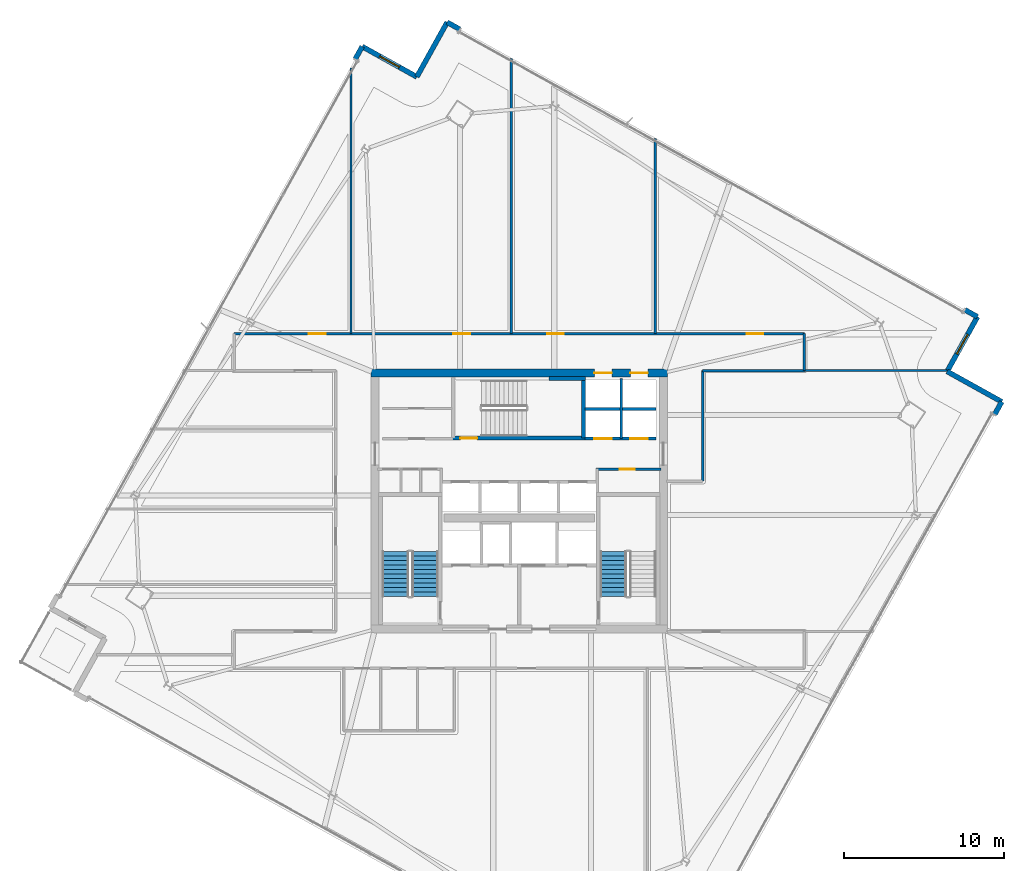
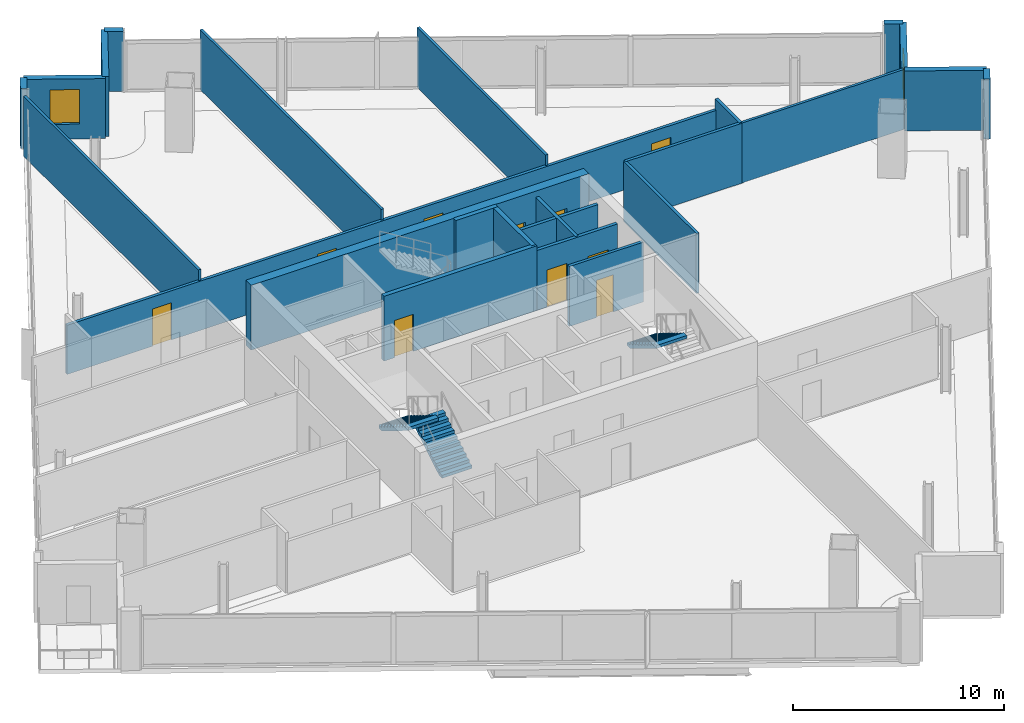
# One storey, part 22 of 28: 24 walls, 10 doors, 3 stair flights, 2 windows, 12 openings, 2 elements without a shape of their own.
"""IFC4 building model written with IfcOpenShell, lengths in metres."""

from ifc_helpers import new_model, si_unit, direction, frame, frame_2d, origin, place, context, subcontext, project, spatial, polyline, rectangle, outline, extrude, material, layer, layer_set, type_object, element, fill, aggregate, save


model = new_model("IFC4")

# Units and contexts
model_context = context("Model", 3, precision=1e-05, world=origin(), true_north=direction((0.0, 1.0)))
body_context = subcontext(model_context, "Body", "Model", "MODEL_VIEW")
ifc_project = project(units=[si_unit("LENGTHUNIT", "METRE"), si_unit("AREAUNIT", "SQUARE_METRE"), si_unit("VOLUMEUNIT", "CUBIC_METRE"), si_unit("PLANEANGLEUNIT", "RADIAN"), si_unit("MASSUNIT", "GRAM", prefix="KILO")], contexts=[model_context])

# Site, building, storey
site_placement = place(None, origin())
site = spatial("IfcSite", under=ifc_project, at=site_placement, CompositionType="ELEMENT")
building_placement = place(site_placement, origin())
building = spatial("IfcBuilding", under=site, at=building_placement, Name="Haldenkirk Collegiate Tower", CompositionType="ELEMENT")
storey_placement = place(building_placement, frame((0.0, 0.0, 232.199951171875)))
storey = spatial("IfcBuildingStorey", under=building, at=storey_placement, Name="L58", CompositionType="ELEMENT", Elevation=232.199951171875)

# Wall, openings, doors
ifc_material_1 = material(Name="Concrete f'c 55 MPa", Category="concrete")
ifc_layer_1 = layer(ifc_material_1, 0.5)
ifc_layer_set_1 = layer_set([ifc_layer_1], Name="Concrete f'c 55 MPa")
wall_type_1 = type_object("IfcWallType", Name="WL-CORE-500", PredefinedType="SHEAR", material=ifc_layer_set_1)
wall_1_placement = place(storey_placement, frame((26.75, 34.0, 0.0), z_axis=(0.0, 0.0, 1.0), x_axis=(1.0, 0.0, 0.0)))
wall_1 = element("IfcWall", 1, at=wall_1_placement, inside=storey, type_object=wall_type_1, Name="L58 central core shear wall N", PredefinedType="SHEAR", context=body_context, shape_type="SweptSolid", body=[
    extrude(rectangle(XDim=18.5, YDim=0.5, at=frame_2d((9.25, 0.0))), origin(), (0.0, 0.0, 1.0), 3.75),
])
opening_1_placement = place(wall_1_placement, frame((13.93505859375, 0.0, 0.0)))
opening_1 = element("IfcOpeningElement", 2, at=opening_1_placement, cuts=wall_1, Name="Opening LD-11", PredefinedType="OPENING", context=body_context, shape_type="SweptSolid", body=[
    extrude(rectangle(XDim=1.10009765625, YDim=2.14990234375, at=frame_2d((0.550048828125, 1.074951171875))), frame((0.0, 0.260009765625, 0.0), z_axis=(0.0, -1.0, 0.0), x_axis=(1.0, 0.0, 0.0)), (0.0, 0.0, 1.0), 0.52001953125),
])
opening_2_placement = place(wall_1_placement, frame((16.18505859375, 0.0, 0.0)))
opening_2 = element("IfcOpeningElement", 3, at=opening_2_placement, cuts=wall_1, Name="Opening LD-11", PredefinedType="OPENING", context=body_context, shape_type="SweptSolid", body=[
    extrude(rectangle(XDim=1.10009765625, YDim=2.14990234375, at=frame_2d((0.550048828125, 1.074951171875))), frame((0.0, 0.260009765625, 0.0), z_axis=(0.0, -1.0, 0.0), x_axis=(1.0, 0.0, 0.0)), (0.0, 0.0, 1.0), 0.52001953125),
])
ifc_material_2 = material(Name="Brushed architectural stainless steel", Category="steel")
ifc_layer_2 = layer(ifc_material_2, 0.06005859375)
ifc_layer_set_2 = layer_set([ifc_layer_2], Name="Brushed architectural stainless steel")
door_type_1 = type_object("IfcDoorType", Name="LD-PASS-1100", OperationType="NOTDEFINED", PredefinedType="DOOR", material=ifc_layer_set_2)
door_1_placement = place(opening_1_placement, origin())
door_1 = element("IfcDoor", 4, at=door_1_placement, inside=storey, type_object=door_type_1, Name="L58 Elevator PM3 sliding landing door", OperationType="SLIDING_TO_LEFT", OverallHeight=2.14990234375, OverallWidth=1.10009765625, PredefinedType="DOOR", context=body_context, shape_type="SweptSolid", body=[
    extrude(rectangle(XDim=1.10009765625, YDim=2.14990234375, at=frame_2d((0.550048828125, 1.074951171875))), frame((0.0, 0.02490234375, 0.0), z_axis=(0.0, -1.0, 0.0), x_axis=(1.0, 0.0, 0.0)), (0.0, 0.0, 1.0), 0.050048828125),
])
fill(opening_1, door_1)
door_2_placement = place(opening_2_placement, origin())
door_2 = element("IfcDoor", 5, at=door_2_placement, inside=storey, type_object=door_type_1, Name="L58 Elevator PM4 sliding landing door", OperationType="SLIDING_TO_LEFT", OverallHeight=2.14990234375, OverallWidth=1.10009765625, PredefinedType="DOOR", context=body_context, shape_type="SweptSolid", body=[
    extrude(rectangle(XDim=1.10009765625, YDim=2.14990234375, at=frame_2d((0.550048828125, 1.074951171875))), frame((0.0, 0.02490234375, 0.0), z_axis=(0.0, -1.0, 0.0), x_axis=(1.0, 0.0, 0.0)), (0.0, 0.0, 1.0), 0.050048828125),
])
fill(opening_2, door_2)

# Walls
ifc_material_3 = material(Name="Precast concrete f'c 40 MPa", Category="concrete")
ifc_layer_3 = layer(ifc_material_3, 0.320068359375)
ifc_layer_set_3 = layer_set([ifc_layer_3], Name="Precast concrete f'c 40 MPa")
wall_type_2 = type_object("IfcWallType", Name="WL-EXT-TWR-320", PredefinedType="STANDARD", material=ifc_layer_set_3)
wall_2_placement = place(storey_placement, frame((66.12646484375, 32.20166015625, 0.0), z_axis=(0.0, 0.0, 1.0), x_axis=(-0.485527775969, -0.874221241313, 0.0)))
element("IfcWall", 6, at=wall_2_placement, inside=storey, type_object=wall_type_2, Name="L58 precast corner pier SL", PredefinedType="STANDARD", context=body_context, shape_type="SweptSolid", body=[
    extrude(rectangle(XDim=0.900146484375, YDim=0.320068359375, at=frame_2d((0.4501953125, 0.0))), origin(), (0.0, 0.0, 1.0), 3.469970703125),
])
wall_3_placement = place(storey_placement, frame((62.717041015625, 34.095458984375, 0.0), z_axis=(0.0, 0.0, 1.0), x_axis=(0.874192707097, -0.485579149943, 0.0)))
element("IfcWall", 7, at=wall_3_placement, inside=storey, type_object=wall_type_2, Name="L58 bronze precast notch wall 02", PredefinedType="STANDARD", context=body_context, shape_type="SweptSolid", body=[
    extrude(rectangle(XDim=3.900146484375, YDim=0.320068359375, at=frame_2d((1.9501953125, 0.0))), origin(), (0.0, 0.0, 1.0), 3.469970703125),
])

# Wall, opening, window
wall_4_placement = place(storey_placement, frame((64.610595703125, 37.5048828125, 0.0), z_axis=(0.0, 0.0, 1.0), x_axis=(-0.485531308926, -0.874219279159, 0.0)))
wall_4 = element("IfcWall", 8, at=wall_4_placement, inside=storey, type_object=wall_type_2, Name="L58 bronze precast notch wall 03", PredefinedType="STANDARD", context=body_context, shape_type="SweptSolid", body=[
    extrude(rectangle(XDim=3.89990234375, YDim=0.320068359375, at=frame_2d((1.949951171875, 0.0))), origin(), (0.0, 0.0, 1.0), 3.469970703125),
])
opening_3_placement = place(wall_4_placement, frame((1.25, 0.0, 0.85009765625)))
opening_3 = element("IfcOpeningElement", 9, at=opening_3_placement, cuts=wall_4, Name="Opening W-06", PredefinedType="OPENING", context=body_context, shape_type="SweptSolid", body=[
    extrude(rectangle(XDim=1.39990234375, YDim=2.0, at=frame_2d((0.699951171875, 1.0))), frame((0.0, 0.169921875, 0.0), z_axis=(0.0, -1.0, 0.0), x_axis=(1.0, 0.0, 0.0)), (0.0, 0.0, 1.0), 0.340087890625),
])
ifc_material_4 = material(Name="Low-E argon triple insulating glass", Category="glass")
ifc_layer_4 = layer(ifc_material_4, 0.090087890625)
ifc_layer_set_4 = layer_set([ifc_layer_4], Name="Low-E argon triple insulating glass")
window_type = type_object("IfcWindowType", Name="WN-Z4-1400X2000", PartitioningType="SINGLE_PANEL", PredefinedType="WINDOW", material=ifc_layer_set_4)
window_1_placement = place(opening_3_placement, origin())
window_1 = element("IfcWindow", 10, at=window_1_placement, inside=storey, type_object=window_type, Name="L58 precast-frame academic window 2", OverallHeight=2.0, OverallWidth=1.39990234375, PartitioningType="SINGLE_PANEL", PredefinedType="WINDOW", context=body_context, shape_type="SweptSolid", body=[
    extrude(rectangle(XDim=1.39990234375, YDim=2.0, at=frame_2d((0.699951171875, 1.0))), frame((0.0, 0.030029296875, 0.0), z_axis=(0.0, -1.0, 0.0), x_axis=(1.0, 0.0, 0.0)), (0.0, 0.0, 1.0), 0.06005859375),
])
fill(opening_3, window_1)

# Walls
wall_5_placement = place(storey_placement, frame((31.50048828125, 55.895751953125, 0.0), z_axis=(0.0, 0.0, 1.0), x_axis=(0.874221241313, -0.485527775969, 0.0)))
element("IfcWall", 11, at=wall_5_placement, inside=storey, type_object=wall_type_2, Name="L58 precast corner pier EL", PredefinedType="STANDARD", context=body_context, shape_type="SweptSolid", body=[
    extrude(rectangle(XDim=0.900146484375, YDim=0.320068359375, at=frame_2d((0.4501953125, 0.0))), origin(), (0.0, 0.0, 1.0), 3.469970703125),
])
wall_6_placement = place(storey_placement, frame((63.823974609375, 37.94189453125, 0.0), z_axis=(0.0, 0.0, 1.0), x_axis=(0.874157276122, -0.485642931179, 0.0)))
element("IfcWall", 12, at=wall_6_placement, inside=storey, type_object=wall_type_2, Name="L58 precast corner pier ER", PredefinedType="STANDARD", context=body_context, shape_type="SweptSolid", body=[
    extrude(rectangle(XDim=0.89990234375, YDim=0.320068359375, at=frame_2d((0.449951171875, 0.0))), origin(), (0.0, 0.0, 1.0), 3.469970703125),
])
wall_7_placement = place(storey_placement, frame((29.606689453125, 52.486572265625, 0.0), z_axis=(0.0, 0.0, 1.0), x_axis=(0.485605723736, 0.874177945887, 0.0)))
element("IfcWall", 13, at=wall_7_placement, inside=storey, type_object=wall_type_2, Name="L58 bronze precast notch wall 05", PredefinedType="STANDARD", context=body_context, shape_type="SweptSolid", body=[
    extrude(rectangle(XDim=3.89990234375, YDim=0.320068359375, at=frame_2d((1.949951171875, 0.0))), origin(), (0.0, 0.0, 1.0), 3.469970703125),
])

# Wall, opening, window
wall_8_placement = place(storey_placement, frame((26.197509765625, 54.380126953125, 0.0), z_axis=(0.0, 0.0, 1.0), x_axis=(0.874204520409, -0.485557881717, 0.0)))
wall_8 = element("IfcWall", 14, at=wall_8_placement, inside=storey, type_object=wall_type_2, Name="L58 bronze precast notch wall 06", PredefinedType="STANDARD", context=body_context, shape_type="SweptSolid", body=[
    extrude(rectangle(XDim=3.899658203125, YDim=0.320068359375, at=frame_2d((1.94970703125, 0.0))), origin(), (0.0, 0.0, 1.0), 3.469970703125),
])
opening_4_placement = place(wall_8_placement, frame((1.25, 0.0, 0.85009765625)))
opening_4 = element("IfcOpeningElement", 15, at=opening_4_placement, cuts=wall_8, Name="Opening W-06", PredefinedType="OPENING", context=body_context, shape_type="SweptSolid", body=[
    extrude(rectangle(XDim=1.39990234375, YDim=2.0, at=frame_2d((0.699951171875, 1.0))), frame((0.0, 0.169921875, 0.0), z_axis=(0.0, -1.0, 0.0), x_axis=(1.0, 0.0, 0.0)), (0.0, 0.0, 1.0), 0.340087890625),
])
window_2_placement = place(opening_4_placement, origin())
window_2 = element("IfcWindow", 16, at=window_2_placement, inside=storey, type_object=window_type, Name="L58 precast-frame academic window 5", OverallHeight=2.0, OverallWidth=1.39990234375, PartitioningType="SINGLE_PANEL", PredefinedType="WINDOW", context=body_context, shape_type="SweptSolid", body=[
    extrude(rectangle(XDim=1.39990234375, YDim=2.0, at=frame_2d((0.699951171875, 1.0))), frame((0.0, 0.030029296875, 0.0), z_axis=(0.0, -1.0, 0.0), x_axis=(1.0, 0.0, 0.0)), (0.0, 0.0, 1.0), 0.06005859375),
])
fill(opening_4, window_2)

# Wall
wall_9_placement = place(storey_placement, frame((25.760498046875, 53.593505859375, 0.0), z_axis=(0.0, 0.0, 1.0), x_axis=(0.485642931179, 0.874157276122, 0.0)))
element("IfcWall", 17, at=wall_9_placement, inside=storey, type_object=wall_type_2, Name="L58 precast corner pier NR", PredefinedType="STANDARD", context=body_context, shape_type="SweptSolid", body=[
    extrude(rectangle(XDim=0.89990234375, YDim=0.320068359375, at=frame_2d((0.449951171875, 0.0))), origin(), (0.0, 0.0, 1.0), 3.469970703125),
])

# Wall, opening, door
ifc_material_5 = material(Name="Acoustic fire-rated gypsum partition", Category="concrete")
ifc_layer_5 = layer(ifc_material_5, 0.159912109375)
ifc_layer_set_5 = layer_set([ifc_layer_5], Name="Acoustic fire-rated gypsum partition")
wall_type_3 = type_object("IfcWallType", Name="WL-INT-CORR-160", PredefinedType="PARTITIONING", material=ifc_layer_set_5)
wall_10_placement = place(storey_placement, frame((40.800048828125, 27.97998046875, 0.0), z_axis=(0.0, 0.0, 1.0), x_axis=(1.0, 0.0, 0.0)))
wall_10 = element("IfcWall", 18, at=wall_10_placement, inside=storey, type_object=wall_type_3, Name="L58 interior partition IW-L58-VCSE-N", PredefinedType="PARTITIONING", context=body_context, shape_type="SweptSolid", body=[
    extrude(rectangle(XDim=4.050048828125, YDim=0.159912109375, at=frame_2d((2.02490234375, 0.0))), origin(), (0.0, 0.0, 1.0), 3.469970703125),
])
opening_5_placement = place(wall_10_placement, frame((1.47509765625, 0.0, 0.0)))
opening_5 = element("IfcOpeningElement", 19, at=opening_5_placement, cuts=wall_10, Name="Opening D-10", PredefinedType="OPENING", context=body_context, shape_type="SweptSolid", body=[
    extrude(rectangle(XDim=0.949951171875, YDim=2.14990234375, at=frame_2d((0.47509765625, 1.074951171875))), frame((0.0, 0.08984375, 0.0), z_axis=(0.0, -1.0, 0.0), x_axis=(1.0, 0.0, 0.0)), (0.0, 0.0, 1.0), 0.179931640625),
])
ifc_material_6 = material(Name="Solid-core architectural oak fire door", Category="wood")
ifc_layer_6 = layer(ifc_material_6, 0.06005859375)
ifc_layer_set_6 = layer_set([ifc_layer_6], Name="Solid-core architectural oak fire door")
door_type_2 = type_object("IfcDoorType", Name="DR-INT-FD60-950", OperationType="NOTDEFINED", PredefinedType="DOOR", material=ifc_layer_set_6)
door_3_placement = place(opening_5_placement, origin())
door_3 = element("IfcDoor", 20, at=door_3_placement, inside=storey, type_object=door_type_2, Name="L58 core archive vault door", OperationType="SINGLE_SWING_LEFT", OverallHeight=2.14990234375, OverallWidth=0.949951171875, PredefinedType="DOOR", context=body_context, shape_type="SweptSolid", body=[
    extrude(rectangle(XDim=0.949951171875, YDim=2.14990234375, at=frame_2d((0.47509765625, 1.074951171875))), frame((0.0, 0.02490234375, 0.0), z_axis=(0.0, -1.0, 0.0), x_axis=(1.0, 0.0, 0.0)), (0.0, 0.0, 1.0), 0.050048828125),
])
fill(opening_5, door_3)

# Wall, openings, doors
wall_11_placement = place(storey_placement, frame((18.199951171875, 36.449951171875, 0.0), z_axis=(0.0, 0.0, 1.0), x_axis=(1.0, 0.0, 0.0)))
wall_11 = element("IfcWall", 21, at=wall_11_placement, inside=storey, type_object=wall_type_3, Name="L58 interior partition IW-L58-CN", PredefinedType="PARTITIONING", context=body_context, shape_type="SweptSolid", body=[
    extrude(rectangle(XDim=35.60009765625, YDim=0.159912109375, at=frame_2d((17.800048828125, 0.0))), origin(), (0.0, 0.0, 1.0), 2.84912109375),
])
opening_6_placement = place(wall_11_placement, frame((4.6650390625, 0.0, 0.0)))
opening_6 = element("IfcOpeningElement", 22, at=opening_6_placement, cuts=wall_11, Name="Opening D-09", PredefinedType="OPENING", context=body_context, shape_type="SweptSolid", body=[
    extrude(rectangle(XDim=1.050048828125, YDim=2.14990234375, at=frame_2d((0.52490234375, 1.074951171875))), frame((0.0, 0.08984375, 0.0), z_axis=(0.0, -1.0, 0.0), x_axis=(1.0, 0.0, 0.0)), (0.0, 0.0, 1.0), 0.179931640625),
])
opening_7_placement = place(wall_11_placement, frame((13.695068359375, 0.0, 0.0)))
opening_7 = element("IfcOpeningElement", 23, at=opening_7_placement, cuts=wall_11, Name="Opening D-09", PredefinedType="OPENING", context=body_context, shape_type="SweptSolid", body=[
    extrude(rectangle(XDim=1.050048828125, YDim=2.14990234375, at=frame_2d((0.52490234375, 1.074951171875))), frame((0.0, 0.08984375, 0.0), z_axis=(0.0, -1.0, 0.0), x_axis=(1.0, 0.0, 0.0)), (0.0, 0.0, 1.0), 0.179931640625),
])
opening_8_placement = place(wall_11_placement, frame((19.534912109375, 0.0, 0.0)))
opening_8 = element("IfcOpeningElement", 24, at=opening_8_placement, cuts=wall_11, Name="Opening D-09", PredefinedType="OPENING", context=body_context, shape_type="SweptSolid", body=[
    extrude(rectangle(XDim=1.050048828125, YDim=2.14990234375, at=frame_2d((0.52490234375, 1.074951171875))), frame((0.0, 0.08984375, 0.0), z_axis=(0.0, -1.0, 0.0), x_axis=(1.0, 0.0, 0.0)), (0.0, 0.0, 1.0), 0.179931640625),
])
opening_9_placement = place(wall_11_placement, frame((31.992919921875, 0.0, 0.0)))
opening_9 = element("IfcOpeningElement", 25, at=opening_9_placement, cuts=wall_11, Name="Opening D-09", PredefinedType="OPENING", context=body_context, shape_type="SweptSolid", body=[
    extrude(rectangle(XDim=1.050048828125, YDim=2.14990234375, at=frame_2d((0.52490234375, 1.074951171875))), frame((0.0, 0.08984375, 0.0), z_axis=(0.0, -1.0, 0.0), x_axis=(1.0, 0.0, 0.0)), (0.0, 0.0, 1.0), 0.179931640625),
])
ifc_layer_7 = layer(ifc_material_6, 0.06005859375)
ifc_layer_set_7 = layer_set([ifc_layer_7], Name="Solid-core architectural oak fire door")
door_type_3 = type_object("IfcDoorType", Name="DR-INT-FD60-1050", OperationType="NOTDEFINED", PredefinedType="DOOR", material=ifc_layer_set_7)
door_4_placement = place(opening_6_placement, origin())
door_4 = element("IfcDoor", 26, at=door_4_placement, inside=storey, type_object=door_type_3, Name="L58 Hospitality Tea Kitchen 3 door", OperationType="SINGLE_SWING_LEFT", OverallHeight=2.14990234375, OverallWidth=1.050048828125, PredefinedType="DOOR", context=body_context, shape_type="SweptSolid", body=[
    extrude(rectangle(XDim=1.050048828125, YDim=2.14990234375, at=frame_2d((0.52490234375, 1.074951171875))), frame((0.0, 0.02490234375, 0.0), z_axis=(0.0, -1.0, 0.0), x_axis=(1.0, 0.0, 0.0)), (0.0, 0.0, 1.0), 0.050048828125),
])
fill(opening_6, door_4)
door_5_placement = place(opening_7_placement, origin())
door_5 = element("IfcDoor", 27, at=door_5_placement, inside=storey, type_object=door_type_3, Name="L58 Faculty Tea Kitchen 4 door", OperationType="SINGLE_SWING_RIGHT", OverallHeight=2.14990234375, OverallWidth=1.050048828125, PredefinedType="DOOR", context=body_context, shape_type="SweptSolid", body=[
    extrude(rectangle(XDim=1.050048828125, YDim=2.14990234375, at=frame_2d((0.52490234375, 1.074951171875))), frame((0.0, 0.02490234375, 0.0), z_axis=(0.0, -1.0, 0.0), x_axis=(1.0, 0.0, 0.0)), (0.0, 0.0, 1.0), 0.050048828125),
])
fill(opening_7, door_5)
door_6_placement = place(opening_8_placement, origin())
door_6 = element("IfcDoor", 28, at=door_6_placement, inside=storey, type_object=door_type_3, Name="L58 Graduate Seminar Room 5 door", OperationType="SINGLE_SWING_LEFT", OverallHeight=2.14990234375, OverallWidth=1.050048828125, PredefinedType="DOOR", context=body_context, shape_type="SweptSolid", body=[
    extrude(rectangle(XDim=1.050048828125, YDim=2.14990234375, at=frame_2d((0.52490234375, 1.074951171875))), frame((0.0, 0.02490234375, 0.0), z_axis=(0.0, -1.0, 0.0), x_axis=(1.0, 0.0, 0.0)), (0.0, 0.0, 1.0), 0.050048828125),
])
fill(opening_8, door_6)
door_7_placement = place(opening_9_placement, origin())
door_7 = element("IfcDoor", 29, at=door_7_placement, inside=storey, type_object=door_type_3, Name="L58 Colloquium Conference Room 6 door", OperationType="SINGLE_SWING_RIGHT", OverallHeight=2.14990234375, OverallWidth=1.050048828125, PredefinedType="DOOR", context=body_context, shape_type="SweptSolid", body=[
    extrude(rectangle(XDim=1.050048828125, YDim=2.14990234375, at=frame_2d((0.52490234375, 1.074951171875))), frame((0.0, 0.02490234375, 0.0), z_axis=(0.0, -1.0, 0.0), x_axis=(1.0, 0.0, 0.0)), (0.0, 0.0, 1.0), 0.050048828125),
])
fill(opening_9, door_7)

# Walls
wall_12_placement = place(storey_placement, frame((47.449951171875, 34.14990234375, 0.0), z_axis=(0.0, 0.0, 1.0), x_axis=(1.0, 0.0, 0.0)))
element("IfcWall", 30, at=wall_12_placement, inside=storey, type_object=wall_type_3, Name="L58 interior partition IW-L58-CNE", PredefinedType="PARTITIONING", context=body_context, shape_type="SweptSolid", body=[
    extrude(rectangle(XDim=6.35009765625, YDim=0.159912109375, at=frame_2d((3.175048828125, 0.0))), origin(), (0.0, 0.0, 1.0), 3.469970703125),
])
wall_13_placement = place(storey_placement, frame((47.449951171875, 27.25, 0.0), z_axis=(0.0, 0.0, 1.0), x_axis=(0.0, 1.0, 0.0)))
element("IfcWall", 31, at=wall_13_placement, inside=storey, type_object=wall_type_3, Name="L58 interior partition IW-L58-CE", PredefinedType="PARTITIONING", context=body_context, shape_type="SweptSolid", body=[
    extrude(rectangle(XDim=6.89990234375, YDim=0.159912109375, at=frame_2d((3.449951171875, 0.0))), origin(), (0.0, 0.0, 1.0), 3.469970703125),
])
wall_14_placement = place(storey_placement, frame((53.800048828125, 34.14990234375, 0.0), z_axis=(0.0, 0.0, 1.0), x_axis=(0.0, 1.0, 0.0)))
element("IfcWall", 32, at=wall_14_placement, inside=storey, type_object=wall_type_3, Name="L58 interior partition IW-L58-CNR", PredefinedType="PARTITIONING", context=body_context, shape_type="SweptSolid", body=[
    extrude(rectangle(XDim=2.300048828125, YDim=0.159912109375, at=frame_2d((1.14990234375, 0.0))), origin(), (0.0, 0.0, 1.0), 3.469970703125),
])
ifc_layer_8 = layer(ifc_material_5, 0.139892578125)
ifc_layer_set_8 = layer_set([ifc_layer_8], Name="Acoustic fire-rated gypsum partition")
wall_type_4 = type_object("IfcWallType", Name="WL-INT-DIV-140", PredefinedType="PARTITIONING", material=ifc_layer_set_8)
wall_15_placement = place(storey_placement, frame((53.800048828125, 34.14990234375, 0.0), z_axis=(0.0, 0.0, 1.0), x_axis=(1.0, 0.0, 0.0)))
element("IfcWall", 33, at=wall_15_placement, inside=storey, type_object=wall_type_4, Name="L58 interior partition IW-L58-BEN", PredefinedType="PARTITIONING", context=body_context, shape_type="SweptSolid", body=[
    extrude(rectangle(XDim=8.901611328125, YDim=0.139892578125, at=frame_2d((4.45068359375, 0.0))), origin(), (0.0, 0.0, 1.0), 3.469970703125),
])
wall_16_placement = place(storey_placement, frame((25.5, 36.449951171875, 0.0), z_axis=(0.0, 0.0, 1.0), x_axis=(0.0, 1.0, 0.0)))
element("IfcWall", 34, at=wall_16_placement, inside=storey, type_object=wall_type_4, Name="L58 interior partition IW-L58-RN1", PredefinedType="PARTITIONING", context=body_context, shape_type="SweptSolid", body=[
    extrude(rectangle(XDim=16.59228515625, YDim=0.139892578125, at=frame_2d((8.296142578125, 0.0))), origin(), (0.0, 0.0, 1.0), 3.469970703125),
])
wall_17_placement = place(storey_placement, frame((35.5, 36.449951171875, 0.0), z_axis=(0.0, 0.0, 1.0), x_axis=(0.0, 1.0, 0.0)))
element("IfcWall", 35, at=wall_17_placement, inside=storey, type_object=wall_type_4, Name="L58 interior partition IW-L58-RN2", PredefinedType="PARTITIONING", context=body_context, shape_type="SweptSolid", body=[
    extrude(rectangle(XDim=17.178466796875, YDim=0.139892578125, at=frame_2d((8.58935546875, 0.0))), origin(), (0.0, 0.0, 1.0), 3.469970703125),
])
wall_18_placement = place(storey_placement, frame((44.5, 36.449951171875, 0.0), z_axis=(0.0, 0.0, 1.0), x_axis=(0.0, 1.0, 0.0)))
element("IfcWall", 36, at=wall_18_placement, inside=storey, type_object=wall_type_4, Name="L58 interior partition IW-L58-RN3", PredefinedType="PARTITIONING", context=body_context, shape_type="SweptSolid", body=[
    extrude(rectangle(XDim=12.179443359375, YDim=0.139892578125, at=frame_2d((6.08984375, 0.0))), origin(), (0.0, 0.0, 1.0), 3.469970703125),
])

# Wall, openings, doors
ifc_material_7 = material(Name="Fire-rated gypsum shaftboard assembly", Category="concrete")
ifc_layer_9 = layer(ifc_material_7, 0.179931640625)
ifc_layer_set_9 = layer_set([ifc_layer_9], Name="Fire-rated gypsum shaftboard assembly")
wall_type_5 = type_object("IfcWallType", Name="WL-INT-SHAFT-180", PredefinedType="PARTITIONING", material=ifc_layer_set_9)
wall_19_placement = place(storey_placement, frame((40.1201171875, 29.89990234375, 0.0), z_axis=(0.0, 0.0, 1.0), x_axis=(1.0, 0.0, 0.0)))
wall_19 = element("IfcWall", 37, at=wall_19_placement, inside=storey, type_object=wall_type_5, Name="L58 interior partition IW-L58-PMS", PredefinedType="PARTITIONING", context=body_context, shape_type="SweptSolid", body=[
    extrude(rectangle(XDim=4.429931640625, YDim=0.179931640625, at=frame_2d((2.21484375, 0.0))), origin(), (0.0, 0.0, 1.0), 3.469970703125),
])
opening_10_placement = place(wall_19_placement, frame((0.56494140625, 0.0, 0.0)))
opening_10 = element("IfcOpeningElement", 38, at=opening_10_placement, cuts=wall_19, Name="Opening LD-11", PredefinedType="OPENING", context=body_context, shape_type="SweptSolid", body=[
    extrude(rectangle(XDim=1.10009765625, YDim=2.14990234375, at=frame_2d((0.550048828125, 1.074951171875))), frame((0.0, 0.099853515625, 0.0), z_axis=(0.0, -1.0, 0.0), x_axis=(1.0, 0.0, 0.0)), (0.0, 0.0, 1.0), 0.199951171875),
])
opening_11_placement = place(wall_19_placement, frame((2.81494140625, 0.0, 0.0)))
opening_11 = element("IfcOpeningElement", 39, at=opening_11_placement, cuts=wall_19, Name="Opening LD-11", PredefinedType="OPENING", context=body_context, shape_type="SweptSolid", body=[
    extrude(rectangle(XDim=1.10009765625, YDim=2.14990234375, at=frame_2d((0.550048828125, 1.074951171875))), frame((0.0, 0.099853515625, 0.0), z_axis=(0.0, -1.0, 0.0), x_axis=(1.0, 0.0, 0.0)), (0.0, 0.0, 1.0), 0.199951171875),
])
door_8_placement = place(opening_10_placement, origin())
door_8 = element("IfcDoor", 40, at=door_8_placement, inside=storey, type_object=door_type_1, Name="L58 Elevator PM1 sliding landing door", OperationType="SLIDING_TO_LEFT", OverallHeight=2.14990234375, OverallWidth=1.10009765625, PredefinedType="DOOR", context=body_context, shape_type="SweptSolid", body=[
    extrude(rectangle(XDim=1.10009765625, YDim=2.14990234375, at=frame_2d((0.550048828125, 1.074951171875))), frame((0.0, 0.02490234375, 0.0), z_axis=(0.0, -1.0, 0.0), x_axis=(1.0, 0.0, 0.0)), (0.0, 0.0, 1.0), 0.050048828125),
])
fill(opening_10, door_8)
door_9_placement = place(opening_11_placement, origin())
door_9 = element("IfcDoor", 41, at=door_9_placement, inside=storey, type_object=door_type_1, Name="L58 Elevator PM2 sliding landing door", OperationType="SLIDING_TO_LEFT", OverallHeight=2.14990234375, OverallWidth=1.10009765625, PredefinedType="DOOR", context=body_context, shape_type="SweptSolid", body=[
    extrude(rectangle(XDim=1.10009765625, YDim=2.14990234375, at=frame_2d((0.550048828125, 1.074951171875))), frame((0.0, 0.02490234375, 0.0), z_axis=(0.0, -1.0, 0.0), x_axis=(1.0, 0.0, 0.0)), (0.0, 0.0, 1.0), 0.050048828125),
])
fill(opening_11, door_9)

# Walls
wall_20_placement = place(storey_placement, frame((40.1201171875, 31.75, 0.0), z_axis=(0.0, 0.0, 1.0), x_axis=(1.0, 0.0, 0.0)))
element("IfcWall", 42, at=wall_20_placement, inside=storey, type_object=wall_type_5, Name="L58 interior partition IW-L58-PMM", PredefinedType="PARTITIONING", context=body_context, shape_type="SweptSolid", body=[
    extrude(rectangle(XDim=4.429931640625, YDim=0.179931640625, at=frame_2d((2.21484375, 0.0))), origin(), (0.0, 0.0, 1.0), 3.469970703125),
])
wall_21_placement = place(storey_placement, frame((42.3701171875, 29.89990234375, 0.0), z_axis=(0.0, 0.0, 1.0), x_axis=(0.0, 1.0, 0.0)))
element("IfcWall", 43, at=wall_21_placement, inside=storey, type_object=wall_type_5, Name="L58 interior partition IW-L58-PMV", PredefinedType="PARTITIONING", context=body_context, shape_type="SweptSolid", body=[
    extrude(rectangle(XDim=3.75, YDim=0.179931640625, at=frame_2d((1.875, 0.0))), origin(), (0.0, 0.0, 1.0), 3.469970703125),
])

# Wall, opening, door
ifc_layer_10 = layer(ifc_material_1, 0.239990234375)
ifc_layer_set_10 = layer_set([ifc_layer_10], Name="Concrete f'c 55 MPa")
wall_type_6 = type_object("IfcWallType", Name="WL-SHAFT-240", PredefinedType="SHEAR", material=ifc_layer_set_10)
wall_22_placement = place(storey_placement, frame((31.760009765625, 29.929931640625, 0.0), z_axis=(0.0, 0.0, 1.0), x_axis=(1.0, 0.0, 0.0)))
wall_22 = element("IfcWall", 44, at=wall_22_placement, inside=storey, type_object=wall_type_6, Name="L58 stair shaft shear wall SW-L58-ST3S", PredefinedType="SHEAR", context=body_context, shape_type="SweptSolid", body=[
    extrude(rectangle(XDim=8.3798828125, YDim=0.239990234375, at=frame_2d((4.18994140625, 0.0))), origin(), (0.0, 0.0, 1.0), 3.75),
])
opening_12_placement = place(wall_22_placement, frame((0.56494140625, 0.0, 0.0)))
opening_12 = element("IfcOpeningElement", 45, at=opening_12_placement, cuts=wall_22, Name="Opening D-01", PredefinedType="OPENING", context=body_context, shape_type="SweptSolid", body=[
    extrude(rectangle(XDim=1.050048828125, YDim=2.14990234375, at=frame_2d((0.52490234375, 1.074951171875))), frame((0.0, 0.1298828125, 0.0), z_axis=(0.0, -1.0, 0.0), x_axis=(1.0, 0.0, 0.0)), (0.0, 0.0, 1.0), 0.260009765625),
])
ifc_material_8 = material(Name="Galvanized fire-rated hollow steel door", Category="steel")
ifc_layer_11 = layer(ifc_material_8, 0.06005859375)
ifc_layer_set_11 = layer_set([ifc_layer_11], Name="Galvanized fire-rated hollow steel door")
door_type_4 = type_object("IfcDoorType", Name="DR-STAIR-FD90-1050", OperationType="NOTDEFINED", PredefinedType="DOOR", material=ifc_layer_set_11)
door_10_placement = place(opening_12_placement, origin())
door_10 = element("IfcDoor", 46, at=door_10_placement, inside=storey, type_object=door_type_4, Name="L58 lift lobby Stair 3 door", OperationType="SINGLE_SWING_RIGHT", OverallHeight=2.14990234375, OverallWidth=1.050048828125, PredefinedType="DOOR", context=body_context, shape_type="SweptSolid", body=[
    extrude(rectangle(XDim=1.050048828125, YDim=2.14990234375, at=frame_2d((0.52490234375, 1.074951171875))), frame((0.0, 0.02490234375, 0.0), z_axis=(0.0, -1.0, 0.0), x_axis=(1.0, 0.0, 0.0)), (0.0, 0.0, 1.0), 0.050048828125),
])
fill(opening_12, door_10)

# Walls
wall_23_placement = place(storey_placement, frame((40.02001953125, 29.929931640625, 0.0), z_axis=(0.0, 0.0, 1.0), x_axis=(0.0, 1.0, 0.0)))
element("IfcWall", 47, at=wall_23_placement, inside=storey, type_object=wall_type_6, Name="L58 stair shaft shear wall SW-L58-ST3E", PredefinedType="SHEAR", context=body_context, shape_type="SweptSolid", body=[
    extrude(rectangle(XDim=3.85009765625, YDim=0.239990234375, at=frame_2d((1.925048828125, 0.0))), origin(), (0.0, 0.0, 1.0), 3.75),
])
wall_24_placement = place(storey_placement, frame((37.85009765625, 33.659912109375, 0.0), z_axis=(0.0, 0.0, 1.0), x_axis=(1.0, 0.0, 0.0)))
element("IfcWall", 48, at=wall_24_placement, inside=storey, type_object=wall_type_6, Name="L58 stair shaft shear wall SW-L58-ST3N", PredefinedType="SHEAR", context=body_context, shape_type="SweptSolid", body=[
    extrude(rectangle(XDim=2.289794921875, YDim=0.239990234375, at=frame_2d((1.14501953125, 0.0))), origin(), (0.0, 0.0, 1.0), 3.75),
])

# Stair, stair flights
ifc_material_9 = material(Name="Concrete f'c 40 MPa", Category="concrete")
stair_type = type_object("IfcStairType", Name="STR-DOGLEG-1650", PredefinedType="HALF_TURN_STAIR", material=ifc_material_9)
stair_1_placement = place(storey_placement, origin())
stair_1 = element("IfcStair", 49, at=stair_1_placement, inside=storey, type_object=stair_type, Name="L58 Core Exit Stair ST-1", PredefinedType="HALF_TURN_STAIR")
stair_flight_type = type_object("IfcStairFlightType", Name="STF-FLIGHT-1650", PredefinedType="STRAIGHT", material=ifc_material_9)
stair_flight_1_placement = place(storey_placement, frame((30.125, 20.050048828125, 0.0), z_axis=(0.0, 0.0, 1.0), x_axis=(0.0, 1.0, 0.0)))
stair_flight_1 = element("IfcStairFlight", 50, at=stair_flight_1_placement, type_object=stair_flight_type, Name="ST-1 flight 1", NumberOfRisers=11, NumberOfTreads=10, PredefinedType="STRAIGHT", RiserHeight=0.170454545, TreadLength=0.28, context=body_context, shape_type="SweptSolid", body=[
    extrude(outline(polyline([(0.0, 0.0), (0.0, 0.17041015625), (0.280029296875, 0.17041015625), (0.280029296875, 0.3408203125), (0.56005859375, 0.3408203125), (0.56005859375, 0.511474609375), (0.840087890625, 0.511474609375), (0.840087890625, 0.681884765625), (1.1201171875, 0.681884765625), (1.1201171875, 0.852294921875), (1.39990234375, 0.852294921875), (1.39990234375, 1.022705078125), (1.679931640625, 1.022705078125), (1.679931640625, 1.193115234375), (1.9599609375, 1.193115234375), (1.9599609375, 1.363525390625), (2.239990234375, 1.363525390625), (2.239990234375, 1.5341796875), (2.52001953125, 1.5341796875), (2.52001953125, 1.70458984375), (2.800048828125, 1.70458984375), (2.800048828125, 1.875), (2.800048828125, 1.529052734375), (0.288330078125, 0.0), (0.0, 0.0)])), frame((0.0, 0.824951171875, 0.0), z_axis=(0.0, -1.0, 0.0), x_axis=(1.0, 0.0, 0.0)), (0.0, 0.0, 1.0), 1.64990234375),
])
stair_flight_2_placement = place(storey_placement, frame((28.27490234375, 22.85009765625, 1.875), z_axis=(0.0, 0.0, 1.0), x_axis=(0.0, -1.0, 0.0)))
stair_flight_2 = element("IfcStairFlight", 51, at=stair_flight_2_placement, type_object=stair_flight_type, Name="ST-1 flight 2", NumberOfRisers=11, NumberOfTreads=10, PredefinedType="STRAIGHT", RiserHeight=0.170454545, TreadLength=0.28, context=body_context, shape_type="SweptSolid", body=[
    extrude(outline(polyline([(0.0, 0.0), (0.0, 0.17041015625), (0.280029296875, 0.17041015625), (0.280029296875, 0.3408203125), (0.56005859375, 0.3408203125), (0.56005859375, 0.511474609375), (0.840087890625, 0.511474609375), (0.840087890625, 0.681884765625), (1.1201171875, 0.681884765625), (1.1201171875, 0.852294921875), (1.39990234375, 0.852294921875), (1.39990234375, 1.022705078125), (1.679931640625, 1.022705078125), (1.679931640625, 1.193115234375), (1.9599609375, 1.193115234375), (1.9599609375, 1.363525390625), (2.239990234375, 1.363525390625), (2.239990234375, 1.5341796875), (2.52001953125, 1.5341796875), (2.52001953125, 1.70458984375), (2.800048828125, 1.70458984375), (2.800048828125, 1.875), (2.800048828125, 1.529052734375), (0.288330078125, 0.0), (0.0, 0.0)])), frame((0.0, 0.824951171875, 0.0), z_axis=(0.0, -1.0, 0.0), x_axis=(1.0, 0.0, 0.0)), (0.0, 0.0, 1.0), 1.64990234375),
])
aggregate(stair_1, [stair_flight_1, stair_flight_2])

# Stair, stair flight
stair_2_placement = place(storey_placement, origin())
stair_2 = element("IfcStair", 52, at=stair_2_placement, inside=storey, type_object=stair_type, Name="L58 Core Exit Stair ST-2", PredefinedType="HALF_TURN_STAIR")
stair_flight_3_placement = place(storey_placement, frame((41.875, 22.85009765625, 1.875), z_axis=(0.0, 0.0, 1.0), x_axis=(0.0, -1.0, 0.0)))
stair_flight_3 = element("IfcStairFlight", 53, at=stair_flight_3_placement, type_object=stair_flight_type, Name="ST-2 flight 2", NumberOfRisers=11, NumberOfTreads=10, PredefinedType="STRAIGHT", RiserHeight=0.170454545, TreadLength=0.28, context=body_context, shape_type="SweptSolid", body=[
    extrude(outline(polyline([(0.0, 0.0), (0.0, 0.17041015625), (0.280029296875, 0.17041015625), (0.280029296875, 0.3408203125), (0.56005859375, 0.3408203125), (0.56005859375, 0.511474609375), (0.840087890625, 0.511474609375), (0.840087890625, 0.681884765625), (1.1201171875, 0.681884765625), (1.1201171875, 0.852294921875), (1.39990234375, 0.852294921875), (1.39990234375, 1.022705078125), (1.679931640625, 1.022705078125), (1.679931640625, 1.193115234375), (1.9599609375, 1.193115234375), (1.9599609375, 1.363525390625), (2.239990234375, 1.363525390625), (2.239990234375, 1.5341796875), (2.52001953125, 1.5341796875), (2.52001953125, 1.70458984375), (2.800048828125, 1.70458984375), (2.800048828125, 1.875), (2.800048828125, 1.529052734375), (0.288330078125, 0.0), (0.0, 0.0)])), frame((0.0, 0.824951171875, 0.0), z_axis=(0.0, -1.0, 0.0), x_axis=(1.0, 0.0, 0.0)), (0.0, 0.0, 1.0), 1.64990234375),
])
aggregate(stair_2, [stair_flight_3])

save(model, "model.ifc")
